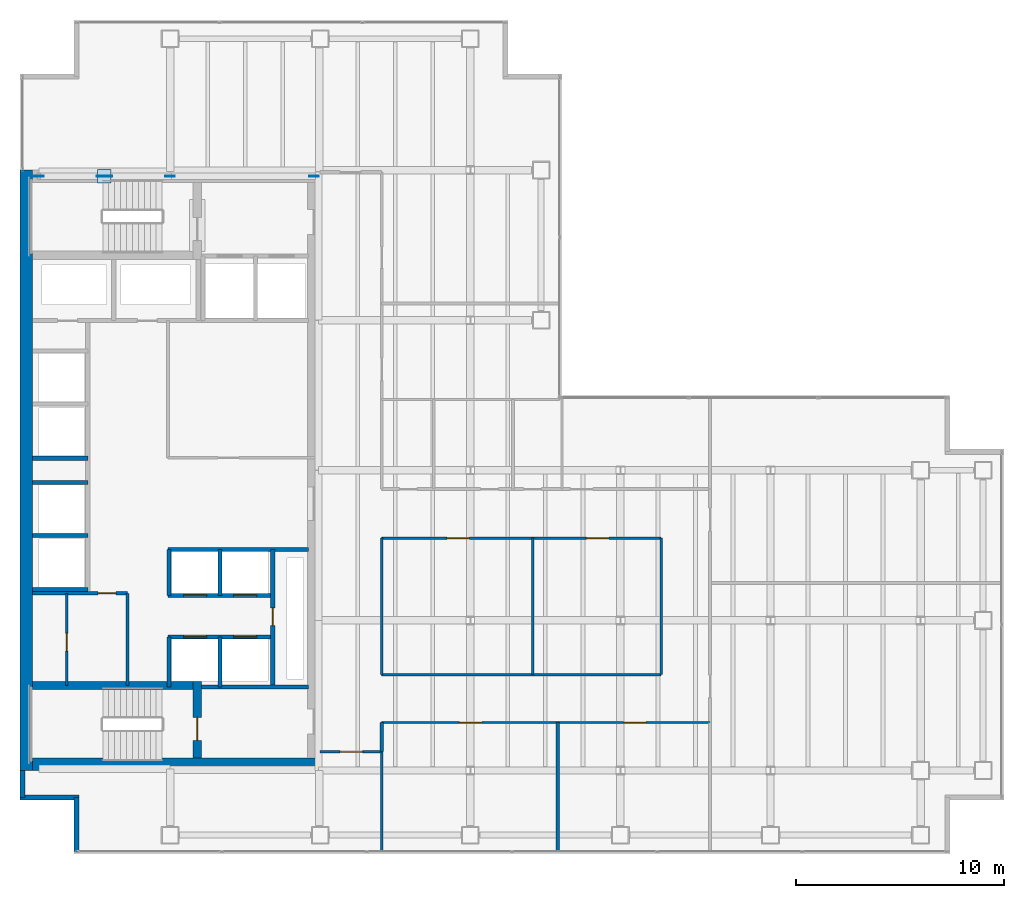
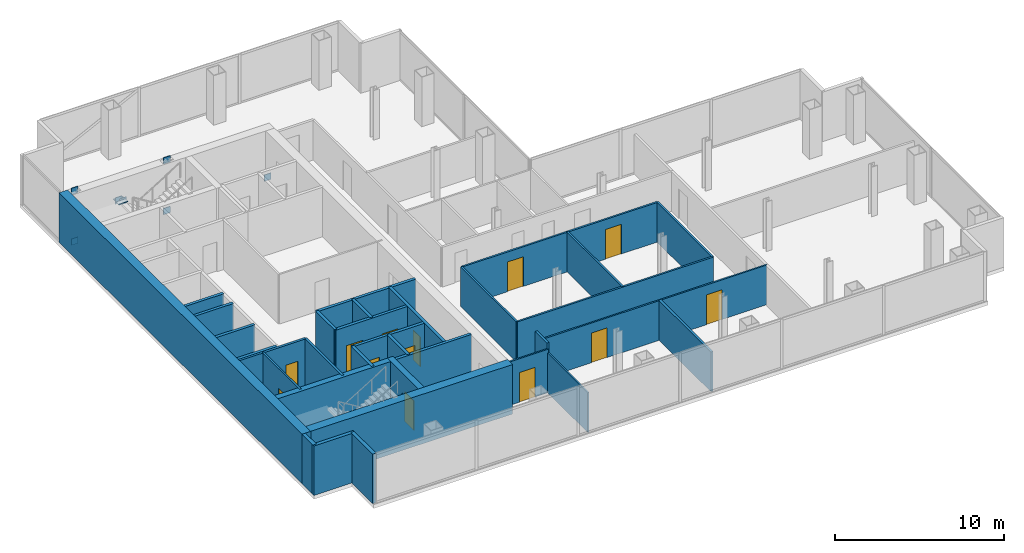
# One storey, part 20 of 23: 33 walls, 13 doors, 8 plates, 13 openings.
"""IFC4 building model written with IfcOpenShell, lengths in metres."""

from ifc_helpers import new_model, si_unit, direction, frame, frame_2d, origin, origin_2d, place, context, subcontext, project, spatial, rectangle, extrude, material, layer, layer_set, type_object, element, fill, save


model = new_model("IFC4")

# Units and contexts
model_context = context("Model", 3, precision=1e-05, world=origin(), true_north=direction((0.0, 1.0)))
body_context = subcontext(model_context, "Body", "Model", "MODEL_VIEW")
ifc_project = project(units=[si_unit("LENGTHUNIT", "METRE"), si_unit("AREAUNIT", "SQUARE_METRE"), si_unit("VOLUMEUNIT", "CUBIC_METRE"), si_unit("PLANEANGLEUNIT", "RADIAN"), si_unit("MASSUNIT", "GRAM", prefix="KILO")], contexts=[model_context])

# Site, building, storey
site_placement = place(None, origin())
site = spatial("IfcSite", under=ifc_project, at=site_placement, CompositionType="ELEMENT")
building_placement = place(site_placement, origin())
building = spatial("IfcBuilding", under=site, at=building_placement, Name="Cobrela Telecom Tower", CompositionType="ELEMENT")
storey_placement = place(building_placement, frame((0.0, 0.0, 148.39990234375)))
storey = spatial("IfcBuildingStorey", under=building, at=storey_placement, Name="L37", CompositionType="ELEMENT", Elevation=148.39990234375)

# Plates
ifc_material_1 = material(Name="Steel ASTM A572 Grade 50", Category="steel")
ifc_layer_1 = layer(ifc_material_1, 0.0419921875)
ifc_layer_set_1 = layer_set([ifc_layer_1], Name="Steel ASTM A572 Grade 50")
plate_type = type_object("IfcPlateType", Name="PLT-NODE-ND1", PredefinedType="USERDEFINED", material=ifc_layer_set_1)
for number, where, z_axis, x_axis, name in (
    (1, (0.89990234375, 35.699951171875, -0.269775390625), (0.0, 0.0, 1.0), (1.0, 0.0, 0.0), "Steel node plate PLT-MBR-EXO-L37-N1-A-0"),
    (2, (7.199951171875, 35.699951171875, 3.39013671875), (0.0, 0.0, 1.0), (1.0, 0.0, 0.0), "Steel node plate PLT-MBR-EXO-L37-N1-A-1"),
    (3, (7.199951171875, 35.699951171875, -0.269775390625), (0.0, 0.0, 1.0), (-1.0, 0.0, 0.0), "Steel node plate PLT-MBR-EXO-L37-N1-B1-0"),
    (4, (4.1953125, 35.699951171875, 1.475830078125), (0.0, 0.0, 1.0), (-1.0, 0.0, 0.0), "Steel node plate PLT-MBR-EXO-L37-N1-B1-1"),
    (5, (3.90478515625, 35.699951171875, 1.64453125), (0.0, 0.0, 1.0), (-1.0, 0.0, 0.0), "Steel node plate PLT-MBR-EXO-L37-N1-B2-0"),
    (6, (0.89990234375, 35.699951171875, 3.39013671875), (0.0, 0.0, 1.0), (-1.0, 0.0, 0.0), "Steel node plate PLT-MBR-EXO-L37-N1-B2-1"),
):
    element("IfcPlate", number, at=place(storey_placement, frame(where, z_axis=z_axis, x_axis=x_axis)), inside=storey, type_object=plate_type, Name=name, ObjectType="GUSSET PLATE", PredefinedType="USERDEFINED", context=body_context, shape_type="SweptSolid", body=[
        extrude(rectangle(XDim=0.4599609375, YDim=0.044921875, at=origin_2d()), origin(), (0.0, 0.0, 1.0), 0.4599609375),
    ])
plate_1_placement = place(storey_placement, frame((4.050048828125, 35.699951171875, 1.767578125), z_axis=(0.0, 0.0, 1.0), x_axis=(1.0, 0.0, 0.0)))
element("IfcPlate", 7, at=plate_1_placement, inside=storey, type_object=plate_type, Name="L37 Core Flange Steel X-Brace Central X-Crossing Gusset Plate", ObjectType="GUSSET PLATE", PredefinedType="USERDEFINED", context=body_context, shape_type="SweptSolid", body=[
    extrude(rectangle(XDim=0.64990234375, YDim=0.64990234375, at=origin_2d()), origin(), (0.0, 0.0, 1.0), 0.044921875),
])
plate_2_placement = place(storey_placement, frame((14.10009765625, 35.699951171875, -0.269775390625), z_axis=(0.0, 0.0, 1.0), x_axis=(-1.0, 0.0, 0.0)))
element("IfcPlate", 8, at=plate_2_placement, inside=storey, type_object=plate_type, Name="Steel node plate PLT-MBR-EXO-L37-N2-0", ObjectType="GUSSET PLATE", PredefinedType="USERDEFINED", context=body_context, shape_type="SweptSolid", body=[
    extrude(rectangle(XDim=0.4599609375, YDim=0.044921875, at=origin_2d()), origin(), (0.0, 0.0, 1.0), 0.4599609375),
])

# Walls
ifc_material_2 = material(Name="Concrete C50/60", Category="concrete")
ifc_layer_2 = layer(ifc_material_2, 0.60009765625)
ifc_layer_set_2 = layer_set([ifc_layer_2], Name="Concrete C50/60")
wall_type_1 = type_object("IfcWallType", Name="WALL-CORE-C50-600", PredefinedType="SHEAR", material=ifc_layer_set_2)
wall_1_placement = place(storey_placement, frame((0.300048828125, 7.199951171875, 0.0), z_axis=(0.0, 0.0, 1.0), x_axis=(0.0, 1.0, 0.0)))
element("IfcWall", 9, at=wall_1_placement, inside=storey, type_object=wall_type_1, Name="L37 West Core Shear Wall", PredefinedType="SHEAR", context=body_context, shape_type="SweptSolid", body=[
    extrude(rectangle(XDim=28.800048828125, YDim=0.60009765625, at=frame_2d((14.39990234375, 0.0))), origin(), (0.0, 0.0, 1.0), 3.580078125),
])
wall_2_placement = place(storey_placement, frame((0.60009765625, 7.5, 0.0), z_axis=(0.0, 0.0, 1.0), x_axis=(1.0, 0.0, 0.0)))
element("IfcWall", 10, at=wall_2_placement, inside=storey, type_object=wall_type_1, Name="L37 South Core Shear Wall", PredefinedType="SHEAR", context=body_context, shape_type="SweptSolid", body=[
    extrude(rectangle(XDim=13.7998046875, YDim=0.60009765625, at=frame_2d((6.89990234375, 0.0))), origin(), (0.0, 0.0, 1.0), 3.580078125),
])
ifc_material_3 = material(Name="Concrete C40/50", Category="concrete")
ifc_layer_3 = layer(ifc_material_3, 0.239990234375)
ifc_layer_set_3 = layer_set([ifc_layer_3], Name="Concrete C40/50")
wall_type_2 = type_object("IfcWallType", Name="WALL-EXT-300", PredefinedType="STANDARD", material=ifc_layer_set_3)
wall_3_placement = place(storey_placement, frame((2.7099609375, 3.320068359375, 0.0), z_axis=(0.0, 0.0, 1.0), x_axis=(0.0, 1.0, 0.0)))
element("IfcWall", 11, at=wall_3_placement, inside=storey, type_object=wall_type_2, Name="L37 Insulated Facade Wall 01", PredefinedType="STANDARD", context=body_context, shape_type="SweptSolid", body=[
    extrude(rectangle(XDim=2.58984375, YDim=0.239990234375, at=frame_2d((1.294921875, 0.0))), origin(), (0.0, 0.0, 1.0), 3.580078125),
])
wall_4_placement = place(storey_placement, frame((2.830078125, 5.909912109375, 0.0), z_axis=(0.0, 0.0, 1.0), x_axis=(-1.0, 0.0, 0.0)))
element("IfcWall", 12, at=wall_4_placement, inside=storey, type_object=wall_type_2, Name="L37 Insulated Facade Wall 02", PredefinedType="STANDARD", context=body_context, shape_type="SweptSolid", body=[
    extrude(rectangle(XDim=2.830078125, YDim=0.239990234375, at=frame_2d((1.4150390625, 0.0))), origin(), (0.0, 0.0, 1.0), 3.580078125),
])
wall_5_placement = place(storey_placement, frame((0.1201171875, 5.909912109375, 0.0), z_axis=(0.0, 0.0, 1.0), x_axis=(0.0, 1.0, 0.0)))
element("IfcWall", 13, at=wall_5_placement, inside=storey, type_object=wall_type_2, Name="L37 Insulated Facade Wall 03", PredefinedType="STANDARD", context=body_context, shape_type="SweptSolid", body=[
    extrude(rectangle(XDim=1.2900390625, YDim=0.239990234375, at=frame_2d((0.64501953125, 0.0))), origin(), (0.0, 0.0, 1.0), 3.580078125),
])

# Wall, opening, door
ifc_material_4 = material(Name="Fire-Rated Gypsum Plasterboard")
ifc_layer_4 = layer(ifc_material_4, 0.110107421875)
ifc_layer_set_4 = layer_set([ifc_layer_4], Name="Fire-Rated Gypsum Plasterboard")
wall_type_3 = type_object("IfcWallType", Name="WALL-PART-110", PredefinedType="PARTITIONING", material=ifc_layer_set_4)
wall_6_placement = place(storey_placement, frame((14.39990234375, 8.10009765625, 0.0), z_axis=(0.0, 0.0, 1.0), x_axis=(1.0, 0.0, 0.0)))
wall_6 = element("IfcWall", 14, at=wall_6_placement, inside=storey, type_object=wall_type_3, Name="L37 Interior Partition W-UW-S0", PredefinedType="PARTITIONING", context=body_context, shape_type="SweptSolid", body=[
    extrude(rectangle(XDim=2.9501953125, YDim=0.110107421875, at=frame_2d((1.47509765625, 0.0))), origin(), (0.0, 0.0, 1.0), 3.148193359375),
])
opening_1_placement = place(wall_6_placement, frame((0.949951171875, 0.0, 0.0)))
opening_1 = element("IfcOpeningElement", 15, at=opening_1_placement, cuts=wall_6, Name="Opening DR-63", PredefinedType="OPENING", context=body_context, shape_type="SweptSolid", body=[
    extrude(rectangle(XDim=1.080078125, YDim=2.14990234375, at=frame_2d((0.5400390625, 1.074951171875))), frame((0.0, 0.06689453125, 0.0), z_axis=(0.0, -1.0, 0.0), x_axis=(1.0, 0.0, 0.0)), (0.0, 0.0, 1.0), 0.134033203125),
])
ifc_material_5 = material(Name="Solid Engineered Oak Timber", Category="wood")
door_type_1 = type_object("IfcDoorType", Name="DOOR-INT-1080", OperationType="SINGLE_SWING_LEFT", PredefinedType="DOOR", material=ifc_material_5)
door_1_placement = place(opening_1_placement, origin())
door_1 = element("IfcDoor", 16, at=door_1_placement, inside=storey, type_object=door_type_1, Name="L37 Door DR-63", OperationType="SINGLE_SWING_RIGHT", OverallHeight=2.14990234375, OverallWidth=1.080078125, PredefinedType="DOOR", context=body_context, shape_type="SweptSolid", body=[
    extrude(rectangle(XDim=1.080078125, YDim=2.14990234375, at=frame_2d((0.5400390625, 1.074951171875))), frame((0.0, 0.02490234375, 0.0), z_axis=(0.0, -1.0, 0.0), x_axis=(1.0, 0.0, 0.0)), (0.0, 0.0, 1.0), 0.050048828125),
])
fill(opening_1, door_1)

# Wall, openings, doors
wall_7_placement = place(storey_placement, frame((17.35009765625, 9.5, 0.0), z_axis=(0.0, 0.0, 1.0), x_axis=(1.0, 0.0, 0.0)))
wall_7 = element("IfcWall", 17, at=wall_7_placement, inside=storey, type_object=wall_type_3, Name="L37 Interior Partition W-US-S", PredefinedType="PARTITIONING", context=body_context, shape_type="SweptSolid", body=[
    extrude(rectangle(XDim=15.75, YDim=0.110107421875, at=frame_2d((7.875, 0.0))), origin(), (0.0, 0.0, 1.0), 2.869140625),
])
opening_2_placement = place(wall_7_placement, frame((3.72998046875, 0.0, 0.0)))
opening_2 = element("IfcOpeningElement", 18, at=opening_2_placement, cuts=wall_7, Name="Opening DR-63", PredefinedType="OPENING", context=body_context, shape_type="SweptSolid", body=[
    extrude(rectangle(XDim=1.080078125, YDim=2.14990234375, at=frame_2d((0.5400390625, 1.074951171875))), frame((0.0, 0.06689453125, 0.0), z_axis=(0.0, -1.0, 0.0), x_axis=(1.0, 0.0, 0.0)), (0.0, 0.0, 1.0), 0.134033203125),
])
opening_3_placement = place(wall_7_placement, frame((11.60009765625, 0.0, 0.0)))
opening_3 = element("IfcOpeningElement", 19, at=opening_3_placement, cuts=wall_7, Name="Opening DR-63", PredefinedType="OPENING", context=body_context, shape_type="SweptSolid", body=[
    extrude(rectangle(XDim=1.080078125, YDim=2.14990234375, at=frame_2d((0.5400390625, 1.074951171875))), frame((0.0, 0.06689453125, 0.0), z_axis=(0.0, -1.0, 0.0), x_axis=(1.0, 0.0, 0.0)), (0.0, 0.0, 1.0), 0.134033203125),
])
door_2_placement = place(opening_2_placement, origin())
door_2 = element("IfcDoor", 20, at=door_2_placement, inside=storey, type_object=door_type_1, Name="L37 Door DR-63", OperationType="SINGLE_SWING_LEFT", OverallHeight=2.14990234375, OverallWidth=1.080078125, PredefinedType="DOOR", context=body_context, shape_type="SweptSolid", body=[
    extrude(rectangle(XDim=1.080078125, YDim=2.14990234375, at=frame_2d((0.5400390625, 1.074951171875))), frame((0.0, 0.02490234375, 0.0), z_axis=(0.0, -1.0, 0.0), x_axis=(1.0, 0.0, 0.0)), (0.0, 0.0, 1.0), 0.050048828125),
])
fill(opening_2, door_2)
door_3_placement = place(opening_3_placement, origin())
door_3 = element("IfcDoor", 21, at=door_3_placement, inside=storey, type_object=door_type_1, Name="L37 Door DR-63", OperationType="SINGLE_SWING_RIGHT", OverallHeight=2.14990234375, OverallWidth=1.080078125, PredefinedType="DOOR", context=body_context, shape_type="SweptSolid", body=[
    extrude(rectangle(XDim=1.080078125, YDim=2.14990234375, at=frame_2d((0.5400390625, 1.074951171875))), frame((0.0, 0.02490234375, 0.0), z_axis=(0.0, -1.0, 0.0), x_axis=(1.0, 0.0, 0.0)), (0.0, 0.0, 1.0), 0.050048828125),
])
fill(opening_3, door_3)

# Wall
wall_8_placement = place(storey_placement, frame((17.35009765625, 3.320068359375, 0.0), z_axis=(0.0, 0.0, 1.0), x_axis=(0.0, 1.0, 0.0)))
element("IfcWall", 22, at=wall_8_placement, inside=storey, type_object=wall_type_3, Name="L37 Interior Partition W-USW-E", PredefinedType="PARTITIONING", context=body_context, shape_type="SweptSolid", body=[
    extrude(rectangle(XDim=4.780029296875, YDim=0.110107421875, at=frame_2d((2.39013671875, 0.0))), origin(), (0.0, 0.0, 1.0), 2.869140625),
])

# Wall, opening, door
ifc_layer_5 = layer(ifc_material_4, 0.125)
ifc_layer_set_5 = layer_set([ifc_layer_5], Name="Fire-Rated Gypsum Plasterboard")
wall_type_4 = type_object("IfcWallType", Name="WALL-PART-125", PredefinedType="PARTITIONING", material=ifc_layer_set_5)
wall_9_placement = place(storey_placement, frame((2.25, 11.280029296875, 0.0), z_axis=(0.0, 0.0, 1.0), x_axis=(0.0, 1.0, 0.0)))
wall_9 = element("IfcWall", 23, at=wall_9_placement, inside=storey, type_object=wall_type_4, Name="L37 Interior Partition CW-FK0-V", PredefinedType="PARTITIONING", context=body_context, shape_type="SweptSolid", body=[
    extrude(rectangle(XDim=4.419921875, YDim=0.125, at=frame_2d((2.2099609375, 0.0))), origin(), (0.0, 0.0, 1.0), 3.580078125),
])
opening_4_placement = place(wall_9_placement, frame((1.64990234375, 0.0, 0.0)))
opening_4 = element("IfcOpeningElement", 24, at=opening_4_placement, cuts=wall_9, Name="Opening DR-11", PredefinedType="OPENING", context=body_context, shape_type="SweptSolid", body=[
    extrude(rectangle(XDim=0.85009765625, YDim=2.14990234375, at=frame_2d((0.425048828125, 1.074951171875))), frame((0.0, 0.074462890625, 0.0), z_axis=(0.0, -1.0, 0.0), x_axis=(1.0, 0.0, 0.0)), (0.0, 0.0, 1.0), 0.14892578125),
])
door_type_2 = type_object("IfcDoorType", Name="DOOR-INT-850", OperationType="SINGLE_SWING_LEFT", PredefinedType="DOOR", material=ifc_material_5)
door_4_placement = place(opening_4_placement, origin())
door_4 = element("IfcDoor", 25, at=door_4_placement, inside=storey, type_object=door_type_2, Name="L37 Door DR-11", OperationType="SINGLE_SWING_LEFT", OverallHeight=2.14990234375, OverallWidth=0.85009765625, PredefinedType="DOOR", context=body_context, shape_type="SweptSolid", body=[
    extrude(rectangle(XDim=0.85009765625, YDim=2.14990234375, at=frame_2d((0.425048828125, 1.074951171875))), frame((0.0, 0.02490234375, 0.0), z_axis=(0.0, -1.0, 0.0), x_axis=(1.0, 0.0, 0.0)), (0.0, 0.0, 1.0), 0.050048828125),
])
fill(opening_4, door_4)

# Walls
wall_10_placement = place(storey_placement, frame((17.35009765625, 11.800048828125, 0.0), z_axis=(0.0, 0.0, 1.0), x_axis=(0.0, 1.0, 0.0)))
element("IfcWall", 26, at=wall_10_placement, inside=storey, type_object=wall_type_4, Name="L37 Interior Partition W-ISL-W", PredefinedType="PARTITIONING", context=body_context, shape_type="SweptSolid", body=[
    extrude(rectangle(XDim=6.550048828125, YDim=0.125, at=frame_2d((3.27490234375, 0.0))), origin(), (0.0, 0.0, 1.0), 2.869140625),
])
wall_11_placement = place(storey_placement, frame((17.35009765625, 11.800048828125, 0.0), z_axis=(0.0, 0.0, 1.0), x_axis=(1.0, 0.0, 0.0)))
element("IfcWall", 27, at=wall_11_placement, inside=storey, type_object=wall_type_4, Name="L37 Interior Partition W-ISL-S", PredefinedType="PARTITIONING", context=body_context, shape_type="SweptSolid", body=[
    extrude(rectangle(XDim=13.39990234375, YDim=0.125, at=frame_2d((6.699951171875, 0.0))), origin(), (0.0, 0.0, 1.0), 2.869140625),
])
wall_12_placement = place(storey_placement, frame((30.75, 11.800048828125, 0.0), z_axis=(0.0, 0.0, 1.0), x_axis=(0.0, 1.0, 0.0)))
element("IfcWall", 28, at=wall_12_placement, inside=storey, type_object=wall_type_4, Name="L37 Interior Partition W-ISL-E", PredefinedType="PARTITIONING", context=body_context, shape_type="SweptSolid", body=[
    extrude(rectangle(XDim=6.550048828125, YDim=0.125, at=frame_2d((3.27490234375, 0.0))), origin(), (0.0, 0.0, 1.0), 2.869140625),
])

# Wall, openings, doors
wall_13_placement = place(storey_placement, frame((17.35009765625, 18.35009765625, 0.0), z_axis=(0.0, 0.0, 1.0), x_axis=(1.0, 0.0, 0.0)))
wall_13 = element("IfcWall", 29, at=wall_13_placement, inside=storey, type_object=wall_type_4, Name="L37 Interior Partition W-ISL-N", PredefinedType="PARTITIONING", context=body_context, shape_type="SweptSolid", body=[
    extrude(rectangle(XDim=13.39990234375, YDim=0.125, at=frame_2d((6.699951171875, 0.0))), origin(), (0.0, 0.0, 1.0), 2.869140625),
])
opening_5_placement = place(wall_13_placement, frame((3.1201171875, 0.0, 0.0)))
opening_5 = element("IfcOpeningElement", 30, at=opening_5_placement, cuts=wall_13, Name="Opening DR-63", PredefinedType="OPENING", context=body_context, shape_type="SweptSolid", body=[
    extrude(rectangle(XDim=1.080078125, YDim=2.14990234375, at=frame_2d((0.5400390625, 1.074951171875))), frame((0.0, 0.074462890625, 0.0), z_axis=(0.0, -1.0, 0.0), x_axis=(1.0, 0.0, 0.0)), (0.0, 0.0, 1.0), 0.14892578125),
])
opening_6_placement = place(wall_13_placement, frame((9.820068359375, 0.0, 0.0)))
opening_6 = element("IfcOpeningElement", 31, at=opening_6_placement, cuts=wall_13, Name="Opening DR-63", PredefinedType="OPENING", context=body_context, shape_type="SweptSolid", body=[
    extrude(rectangle(XDim=1.080078125, YDim=2.14990234375, at=frame_2d((0.5400390625, 1.074951171875))), frame((0.0, 0.074462890625, 0.0), z_axis=(0.0, -1.0, 0.0), x_axis=(1.0, 0.0, 0.0)), (0.0, 0.0, 1.0), 0.14892578125),
])
door_5_placement = place(opening_5_placement, origin())
door_5 = element("IfcDoor", 32, at=door_5_placement, inside=storey, type_object=door_type_1, Name="L37 Door DR-63", OperationType="SINGLE_SWING_LEFT", OverallHeight=2.14990234375, OverallWidth=1.080078125, PredefinedType="DOOR", context=body_context, shape_type="SweptSolid", body=[
    extrude(rectangle(XDim=1.080078125, YDim=2.14990234375, at=frame_2d((0.5400390625, 1.074951171875))), frame((0.0, 0.02490234375, 0.0), z_axis=(0.0, -1.0, 0.0), x_axis=(1.0, 0.0, 0.0)), (0.0, 0.0, 1.0), 0.050048828125),
])
fill(opening_5, door_5)
door_6_placement = place(opening_6_placement, origin())
door_6 = element("IfcDoor", 33, at=door_6_placement, inside=storey, type_object=door_type_1, Name="L37 Door DR-63", OperationType="SINGLE_SWING_RIGHT", OverallHeight=2.14990234375, OverallWidth=1.080078125, PredefinedType="DOOR", context=body_context, shape_type="SweptSolid", body=[
    extrude(rectangle(XDim=1.080078125, YDim=2.14990234375, at=frame_2d((0.5400390625, 1.074951171875))), frame((0.0, 0.02490234375, 0.0), z_axis=(0.0, -1.0, 0.0), x_axis=(1.0, 0.0, 0.0)), (0.0, 0.0, 1.0), 0.050048828125),
])
fill(opening_6, door_6)

# Walls
wall_14_placement = place(storey_placement, frame((24.60009765625, 11.800048828125, 0.0), z_axis=(0.0, 0.0, 1.0), x_axis=(0.0, 1.0, 0.0)))
element("IfcWall", 34, at=wall_14_placement, inside=storey, type_object=wall_type_4, Name="L37 Interior Partition W-ISLV-1", PredefinedType="PARTITIONING", context=body_context, shape_type="SweptSolid", body=[
    extrude(rectangle(XDim=6.550048828125, YDim=0.125, at=frame_2d((3.27490234375, 0.0))), origin(), (0.0, 0.0, 1.0), 2.869140625),
])
ifc_layer_6 = layer(ifc_material_4, 0.14990234375)
ifc_layer_set_6 = layer_set([ifc_layer_6], Name="Fire-Rated Gypsum Plasterboard")
wall_type_5 = type_object("IfcWallType", Name="WALL-PART-150", PredefinedType="PARTITIONING", material=ifc_layer_set_6)
wall_15_placement = place(storey_placement, frame((5.14990234375, 11.280029296875, 0.0), z_axis=(0.0, 0.0, 1.0), x_axis=(0.0, 1.0, 0.0)))
element("IfcWall", 35, at=wall_15_placement, inside=storey, type_object=wall_type_5, Name="L37 Interior Partition CW-FLEX-E", PredefinedType="PARTITIONING", context=body_context, shape_type="SweptSolid", body=[
    extrude(rectangle(XDim=4.419921875, YDim=0.14990234375, at=frame_2d((2.2099609375, 0.0))), origin(), (0.0, 0.0, 1.0), 3.580078125),
])
wall_16_placement = place(storey_placement, frame((17.35009765625, 8.10009765625, 0.0), z_axis=(0.0, 0.0, 1.0), x_axis=(0.0, 1.0, 0.0)))
element("IfcWall", 36, at=wall_16_placement, inside=storey, type_object=wall_type_5, Name="L37 Interior Partition W-UW-E1", PredefinedType="PARTITIONING", context=body_context, shape_type="SweptSolid", body=[
    extrude(rectangle(XDim=1.39990234375, YDim=0.14990234375, at=frame_2d((0.699951171875, 0.0))), origin(), (0.0, 0.0, 1.0), 3.580078125),
])

# Wall, opening, door
ifc_layer_7 = layer(ifc_material_4, 0.159912109375)
ifc_layer_set_7 = layer_set([ifc_layer_7], Name="Fire-Rated Gypsum Plasterboard")
wall_type_6 = type_object("IfcWallType", Name="WALL-PART-160", PredefinedType="PARTITIONING", material=ifc_layer_set_7)
wall_17_placement = place(storey_placement, frame((0.60009765625, 15.699951171875, 0.0), z_axis=(0.0, 0.0, 1.0), x_axis=(1.0, 0.0, 0.0)))
wall_17 = element("IfcWall", 37, at=wall_17_placement, inside=storey, type_object=wall_type_6, Name="L37 Interior Partition CW-FLEX-N", PredefinedType="PARTITIONING", context=body_context, shape_type="SweptSolid", body=[
    extrude(rectangle(XDim=4.5498046875, YDim=0.159912109375, at=frame_2d((2.27490234375, 0.0))), origin(), (0.0, 0.0, 1.0), 3.580078125),
])
opening_7_placement = place(wall_17_placement, frame((3.14990234375, 0.0, 0.0)))
opening_7 = element("IfcOpeningElement", 38, at=opening_7_placement, cuts=wall_17, Name="Opening DR-11", PredefinedType="OPENING", context=body_context, shape_type="SweptSolid", body=[
    extrude(rectangle(XDim=0.85009765625, YDim=2.14990234375, at=frame_2d((0.425048828125, 1.074951171875))), frame((0.0, 0.091796875, 0.0), z_axis=(0.0, -1.0, 0.0), x_axis=(1.0, 0.0, 0.0)), (0.0, 0.0, 1.0), 0.183837890625),
])
door_7_placement = place(opening_7_placement, origin())
door_7 = element("IfcDoor", 39, at=door_7_placement, inside=storey, type_object=door_type_2, Name="L37 Door DR-11", OperationType="SINGLE_SWING_RIGHT", OverallHeight=2.14990234375, OverallWidth=0.85009765625, PredefinedType="DOOR", context=body_context, shape_type="SweptSolid", body=[
    extrude(rectangle(XDim=0.85009765625, YDim=2.14990234375, at=frame_2d((0.425048828125, 1.074951171875))), frame((0.0, 0.02490234375, 0.0), z_axis=(0.0, -1.0, 0.0), x_axis=(1.0, 0.0, 0.0)), (0.0, 0.0, 1.0), 0.050048828125),
])
fill(opening_7, door_7)

# Walls
wall_18_placement = place(storey_placement, frame((25.800048828125, 3.320068359375, 0.0), z_axis=(0.0, 0.0, 1.0), x_axis=(0.0, 1.0, 0.0)))
element("IfcWall", 40, at=wall_18_placement, inside=storey, type_object=wall_type_6, Name="L37 Interior Partition W-USV-1", PredefinedType="PARTITIONING", context=body_context, shape_type="SweptSolid", body=[
    extrude(rectangle(XDim=6.179931640625, YDim=0.159912109375, at=frame_2d((3.08984375, 0.0))), origin(), (0.0, 0.0, 1.0), 2.869140625),
])
ifc_layer_8 = layer(ifc_material_4, 0.199951171875)
ifc_layer_set_8 = layer_set([ifc_layer_8], Name="Fire-Rated Gypsum Plasterboard")
wall_type_7 = type_object("IfcWallType", Name="WALL-SHAFT-200", PredefinedType="PARTITIONING", material=ifc_layer_set_8)
wall_19_placement = place(storey_placement, frame((8.699951171875, 11.199951171875, 0.0), z_axis=(0.0, 0.0, 1.0), x_axis=(1.0, 0.0, 0.0)))
element("IfcWall", 41, at=wall_19_placement, inside=storey, type_object=wall_type_7, Name="L37 Shaft Enclosure CW-ST2L-N", PredefinedType="PARTITIONING", context=body_context, shape_type="SweptSolid", body=[
    extrude(rectangle(XDim=5.150146484375, YDim=0.199951171875, at=frame_2d((2.5751953125, 0.0))), origin(), (0.0, 0.0, 1.0), 3.580078125),
])
for number, where, z_axis, x_axis, name in (
    (42, (0.60009765625, 15.8798828125, 0.0), (0.0, 0.0, 1.0), (1.0, 0.0, 0.0), "L37 Shaft Enclosure CW-PLH-D9"),
    (43, (0.60009765625, 18.47998046875, 0.0), (0.0, 0.0, 1.0), (1.0, 0.0, 0.0), "L37 Shaft Enclosure CW-PLH-D10"),
    (44, (0.60009765625, 22.179931640625, 0.0), (0.0, 0.0, 1.0), (1.0, 0.0, 0.0), "L37 Shaft Enclosure CW-PLH-D11"),
    (45, (0.60009765625, 21.02001953125, 0.0), (0.0, 0.0, 1.0), (1.0, 0.0, 0.0), "L37 Shaft Enclosure CW-PLH-MID"),
):
    element("IfcWall", number, at=place(storey_placement, frame(where, z_axis=z_axis, x_axis=x_axis)), inside=storey, type_object=wall_type_7, Name=name, PredefinedType="PARTITIONING", context=body_context, shape_type="SweptSolid", body=[
        extrude(rectangle(XDim=2.64990234375, YDim=0.199951171875, at=frame_2d((1.324951171875, 0.0))), origin(), (0.0, 0.0, 1.0), 3.580078125),
    ])
wall_20_placement = place(storey_placement, frame((7.10009765625, 17.800048828125, 0.0), z_axis=(0.0, 0.0, 1.0), x_axis=(1.0, 0.0, 0.0)))
element("IfcWall", 46, at=wall_20_placement, inside=storey, type_object=wall_type_7, Name="L37 Shaft Enclosure CW-PLM-T0", PredefinedType="PARTITIONING", context=body_context, shape_type="SweptSolid", body=[
    extrude(rectangle(XDim=6.75, YDim=0.199951171875, at=frame_2d((3.375, 0.0))), origin(), (0.0, 0.0, 1.0), 3.580078125),
])

# Wall, openings, doors
wall_21_placement = place(storey_placement, frame((7.10009765625, 15.60009765625, 0.0), z_axis=(0.0, 0.0, 1.0), x_axis=(1.0, 0.0, 0.0)))
wall_21 = element("IfcWall", 47, at=wall_21_placement, inside=storey, type_object=wall_type_7, Name="L37 Shaft Enclosure CW-PLM-N", PredefinedType="PARTITIONING", context=body_context, shape_type="SweptSolid", body=[
    extrude(rectangle(XDim=5.02001953125, YDim=0.199951171875, at=frame_2d((2.510009765625, 0.0))), origin(), (0.0, 0.0, 1.0), 3.580078125),
])
opening_8_placement = place(wall_21_placement, frame((0.75, 0.0, 0.0)))
opening_8 = element("IfcOpeningElement", 48, at=opening_8_placement, cuts=wall_21, Name="Opening LD-1", PredefinedType="OPENING", context=body_context, shape_type="SweptSolid", body=[
    extrude(rectangle(XDim=1.10009765625, YDim=2.199951171875, at=frame_2d((0.550048828125, 1.10009765625))), frame((0.0, 0.11181640625, 0.0), z_axis=(0.0, -1.0, 0.0), x_axis=(1.0, 0.0, 0.0)), (0.0, 0.0, 1.0), 0.223876953125),
])
opening_9_placement = place(wall_21_placement, frame((3.14990234375, 0.0, 0.0)))
opening_9 = element("IfcOpeningElement", 49, at=opening_9_placement, cuts=wall_21, Name="Opening LD-1", PredefinedType="OPENING", context=body_context, shape_type="SweptSolid", body=[
    extrude(rectangle(XDim=1.10009765625, YDim=2.199951171875, at=frame_2d((0.550048828125, 1.10009765625))), frame((0.0, 0.11181640625, 0.0), z_axis=(0.0, -1.0, 0.0), x_axis=(1.0, 0.0, 0.0)), (0.0, 0.0, 1.0), 0.223876953125),
])
ifc_material_6 = material(Name="Steel ASTM A36", Category="steel")
door_type_3 = type_object("IfcDoorType", Name="DOOR-LD-PL", OperationType="SINGLE_SWING_LEFT", PredefinedType="DOOR", material=ifc_material_6)
door_8_placement = place(opening_8_placement, origin())
door_8 = element("IfcDoor", 50, at=door_8_placement, inside=storey, type_object=door_type_3, Name="L37 Lift Landing Door LD-1", OperationType="DOUBLE_DOOR_SLIDING", OverallHeight=2.199951171875, OverallWidth=1.10009765625, PredefinedType="DOOR", context=body_context, shape_type="SweptSolid", body=[
    extrude(rectangle(XDim=1.10009765625, YDim=2.199951171875, at=frame_2d((0.550048828125, 1.10009765625))), frame((0.0, 0.02490234375, 0.0), z_axis=(0.0, -1.0, 0.0), x_axis=(1.0, 0.0, 0.0)), (0.0, 0.0, 1.0), 0.050048828125),
])
fill(opening_8, door_8)
door_9_placement = place(opening_9_placement, origin())
door_9 = element("IfcDoor", 51, at=door_9_placement, inside=storey, type_object=door_type_3, Name="L37 Lift Landing Door LD-1", OperationType="DOUBLE_DOOR_SLIDING", OverallHeight=2.199951171875, OverallWidth=1.10009765625, PredefinedType="DOOR", context=body_context, shape_type="SweptSolid", body=[
    extrude(rectangle(XDim=1.10009765625, YDim=2.199951171875, at=frame_2d((0.550048828125, 1.10009765625))), frame((0.0, 0.02490234375, 0.0), z_axis=(0.0, -1.0, 0.0), x_axis=(1.0, 0.0, 0.0)), (0.0, 0.0, 1.0), 0.050048828125),
])
fill(opening_9, door_9)

wall_22_placement = place(storey_placement, frame((7.10009765625, 13.60009765625, 0.0), z_axis=(0.0, 0.0, 1.0), x_axis=(1.0, 0.0, 0.0)))
wall_22 = element("IfcWall", 52, at=wall_22_placement, inside=storey, type_object=wall_type_7, Name="L37 Shaft Enclosure CW-PLM-S", PredefinedType="PARTITIONING", context=body_context, shape_type="SweptSolid", body=[
    extrude(rectangle(XDim=5.02001953125, YDim=0.199951171875, at=frame_2d((2.510009765625, 0.0))), origin(), (0.0, 0.0, 1.0), 3.580078125),
])
opening_10_placement = place(wall_22_placement, frame((0.75, 0.0, 0.0)))
opening_10 = element("IfcOpeningElement", 53, at=opening_10_placement, cuts=wall_22, Name="Opening LD-1", PredefinedType="OPENING", context=body_context, shape_type="SweptSolid", body=[
    extrude(rectangle(XDim=1.10009765625, YDim=2.199951171875, at=frame_2d((0.550048828125, 1.10009765625))), frame((0.0, 0.11181640625, 0.0), z_axis=(0.0, -1.0, 0.0), x_axis=(1.0, 0.0, 0.0)), (0.0, 0.0, 1.0), 0.223876953125),
])
opening_11_placement = place(wall_22_placement, frame((3.14990234375, 0.0, 0.0)))
opening_11 = element("IfcOpeningElement", 54, at=opening_11_placement, cuts=wall_22, Name="Opening LD-1", PredefinedType="OPENING", context=body_context, shape_type="SweptSolid", body=[
    extrude(rectangle(XDim=1.10009765625, YDim=2.199951171875, at=frame_2d((0.550048828125, 1.10009765625))), frame((0.0, 0.11181640625, 0.0), z_axis=(0.0, -1.0, 0.0), x_axis=(1.0, 0.0, 0.0)), (0.0, 0.0, 1.0), 0.223876953125),
])
door_10_placement = place(opening_10_placement, origin())
door_10 = element("IfcDoor", 55, at=door_10_placement, inside=storey, type_object=door_type_3, Name="L37 Lift Landing Door LD-1", OperationType="DOUBLE_DOOR_SLIDING", OverallHeight=2.199951171875, OverallWidth=1.10009765625, PredefinedType="DOOR", context=body_context, shape_type="SweptSolid", body=[
    extrude(rectangle(XDim=1.10009765625, YDim=2.199951171875, at=frame_2d((0.550048828125, 1.10009765625))), frame((0.0, 0.02490234375, 0.0), z_axis=(0.0, -1.0, 0.0), x_axis=(1.0, 0.0, 0.0)), (0.0, 0.0, 1.0), 0.050048828125),
])
fill(opening_10, door_10)
door_11_placement = place(opening_11_placement, origin())
door_11 = element("IfcDoor", 56, at=door_11_placement, inside=storey, type_object=door_type_3, Name="L37 Lift Landing Door LD-1", OperationType="DOUBLE_DOOR_SLIDING", OverallHeight=2.199951171875, OverallWidth=1.10009765625, PredefinedType="DOOR", context=body_context, shape_type="SweptSolid", body=[
    extrude(rectangle(XDim=1.10009765625, YDim=2.199951171875, at=frame_2d((0.550048828125, 1.10009765625))), frame((0.0, 0.02490234375, 0.0), z_axis=(0.0, -1.0, 0.0), x_axis=(1.0, 0.0, 0.0)), (0.0, 0.0, 1.0), 0.050048828125),
])
fill(opening_11, door_11)

# Walls
wall_23_placement = place(storey_placement, frame((7.14990234375, 15.60009765625, 0.0), z_axis=(0.0, 0.0, 1.0), x_axis=(0.0, 1.0, 0.0)))
element("IfcWall", 57, at=wall_23_placement, inside=storey, type_object=wall_type_7, Name="L37 Shaft Enclosure CW-PLM-V1", PredefinedType="PARTITIONING", context=body_context, shape_type="SweptSolid", body=[
    extrude(rectangle(XDim=2.199951171875, YDim=0.199951171875, at=frame_2d((1.10009765625, 0.0))), origin(), (0.0, 0.0, 1.0), 3.580078125),
])
wall_24_placement = place(storey_placement, frame((7.14990234375, 11.199951171875, 0.0), z_axis=(0.0, 0.0, 1.0), x_axis=(0.0, 1.0, 0.0)))
element("IfcWall", 58, at=wall_24_placement, inside=storey, type_object=wall_type_7, Name="L37 Shaft Enclosure CW-PLM-V1B", PredefinedType="PARTITIONING", context=body_context, shape_type="SweptSolid", body=[
    extrude(rectangle(XDim=2.400146484375, YDim=0.199951171875, at=frame_2d((1.2001953125, 0.0))), origin(), (0.0, 0.0, 1.0), 3.580078125),
])
wall_25_placement = place(storey_placement, frame((9.60009765625, 15.60009765625, 0.0), z_axis=(0.0, 0.0, 1.0), x_axis=(0.0, 1.0, 0.0)))
element("IfcWall", 59, at=wall_25_placement, inside=storey, type_object=wall_type_7, Name="L37 Shaft Enclosure CW-PLM-V2", PredefinedType="PARTITIONING", context=body_context, shape_type="SweptSolid", body=[
    extrude(rectangle(XDim=2.199951171875, YDim=0.199951171875, at=frame_2d((1.10009765625, 0.0))), origin(), (0.0, 0.0, 1.0), 3.580078125),
])
wall_26_placement = place(storey_placement, frame((9.60009765625, 11.199951171875, 0.0), z_axis=(0.0, 0.0, 1.0), x_axis=(0.0, 1.0, 0.0)))
element("IfcWall", 60, at=wall_26_placement, inside=storey, type_object=wall_type_7, Name="L37 Shaft Enclosure CW-PLM-V2B", PredefinedType="PARTITIONING", context=body_context, shape_type="SweptSolid", body=[
    extrude(rectangle(XDim=2.400146484375, YDim=0.199951171875, at=frame_2d((1.2001953125, 0.0))), origin(), (0.0, 0.0, 1.0), 3.580078125),
])

# Wall, opening, door
wall_27_placement = place(storey_placement, frame((12.1201171875, 11.199951171875, 0.0), z_axis=(0.0, 0.0, 1.0), x_axis=(0.0, 1.0, 0.0)))
wall_27 = element("IfcWall", 61, at=wall_27_placement, inside=storey, type_object=wall_type_7, Name="L37 Shaft Enclosure CW-PLM-V3", PredefinedType="PARTITIONING", context=body_context, shape_type="SweptSolid", body=[
    extrude(rectangle(XDim=6.60009765625, YDim=0.199951171875, at=frame_2d((3.300048828125, 0.0))), origin(), (0.0, 0.0, 1.0), 3.580078125),
])
opening_12_placement = place(wall_27_placement, frame((2.949951171875, 0.0, 0.0)))
opening_12 = element("IfcOpeningElement", 62, at=opening_12_placement, cuts=wall_27, Name="Opening DR-11", PredefinedType="OPENING", context=body_context, shape_type="SweptSolid", body=[
    extrude(rectangle(XDim=0.85009765625, YDim=2.14990234375, at=frame_2d((0.425048828125, 1.074951171875))), frame((0.0, 0.11181640625, 0.0), z_axis=(0.0, -1.0, 0.0), x_axis=(1.0, 0.0, 0.0)), (0.0, 0.0, 1.0), 0.223876953125),
])
door_12_placement = place(opening_12_placement, origin())
door_12 = element("IfcDoor", 63, at=door_12_placement, inside=storey, type_object=door_type_2, Name="L37 Door DR-11", OperationType="SINGLE_SWING_RIGHT", OverallHeight=2.14990234375, OverallWidth=0.85009765625, PredefinedType="DOOR", context=body_context, shape_type="SweptSolid", body=[
    extrude(rectangle(XDim=0.85009765625, YDim=2.14990234375, at=frame_2d((0.425048828125, 1.074951171875))), frame((0.0, 0.02490234375, 0.0), z_axis=(0.0, -1.0, 0.0), x_axis=(1.0, 0.0, 0.0)), (0.0, 0.0, 1.0), 0.050048828125),
])
fill(opening_12, door_12)

# Wall
ifc_layer_9 = layer(ifc_material_3, 0.39990234375)
ifc_layer_set_9 = layer_set([ifc_layer_9], Name="Concrete C40/50")
wall_type_8 = type_object("IfcWallType", Name="WALL-SHAFT-C40-400", PredefinedType="SHEAR", material=ifc_layer_set_9)
wall_28_placement = place(storey_placement, frame((0.60009765625, 11.280029296875, 0.0), z_axis=(0.0, 0.0, 1.0), x_axis=(1.0, 0.0, 0.0)))
element("IfcWall", 64, at=wall_28_placement, inside=storey, type_object=wall_type_8, Name="L37 South Stair Shear Wall", PredefinedType="SHEAR", context=body_context, shape_type="SweptSolid", body=[
    extrude(rectangle(XDim=7.699951171875, YDim=0.39990234375, at=frame_2d((3.85009765625, 0.0))), origin(), (0.0, 0.0, 1.0), 3.580078125),
])

# Wall, opening, door
wall_29_placement = place(storey_placement, frame((8.5, 7.800048828125, 0.0), z_axis=(0.0, 0.0, 1.0), x_axis=(0.0, 1.0, 0.0)))
wall_29 = element("IfcWall", 65, at=wall_29_placement, inside=storey, type_object=wall_type_8, Name="L37 South Stair Lobby Shear Wall", PredefinedType="SHEAR", context=body_context, shape_type="SweptSolid", body=[
    extrude(rectangle(XDim=3.679931640625, YDim=0.39990234375, at=frame_2d((1.83984375, 0.0))), origin(), (0.0, 0.0, 1.0), 3.580078125),
])
opening_13_placement = place(wall_29_placement, frame((0.85009765625, 0.0, 0.0)))
opening_13 = element("IfcOpeningElement", 66, at=opening_13_placement, cuts=wall_29, Name="Opening FD-90", PredefinedType="OPENING", context=body_context, shape_type="SweptSolid", body=[
    extrude(rectangle(XDim=1.10009765625, YDim=2.14990234375, at=frame_2d((0.550048828125, 1.074951171875))), frame((0.0, 0.2119140625, 0.0), z_axis=(0.0, -1.0, 0.0), x_axis=(1.0, 0.0, 0.0)), (0.0, 0.0, 1.0), 0.423828125),
])
door_type_4 = type_object("IfcDoorType", Name="DOOR-FD90-1100", OperationType="SINGLE_SWING_LEFT", PredefinedType="DOOR", material=ifc_material_6)
door_13_placement = place(opening_13_placement, origin())
door_13 = element("IfcDoor", 67, at=door_13_placement, inside=storey, type_object=door_type_4, Name="L37 Door FD-90", OperationType="SINGLE_SWING_LEFT", OverallHeight=2.14990234375, OverallWidth=1.10009765625, PredefinedType="DOOR", context=body_context, shape_type="SweptSolid", body=[
    extrude(rectangle(XDim=1.10009765625, YDim=2.14990234375, at=frame_2d((0.550048828125, 1.074951171875))), frame((0.0, 0.02490234375, 0.0), z_axis=(0.0, -1.0, 0.0), x_axis=(1.0, 0.0, 0.0)), (0.0, 0.0, 1.0), 0.050048828125),
])
fill(opening_13, door_13)

save(model, "model.ifc")
